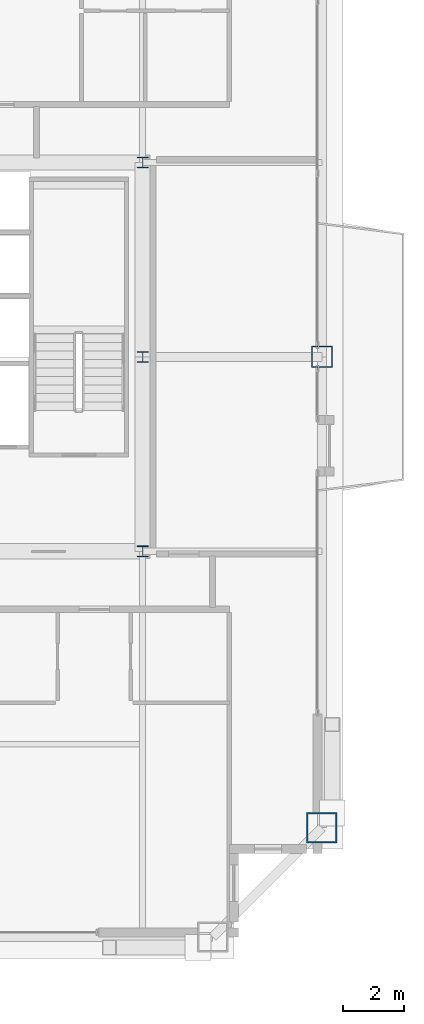
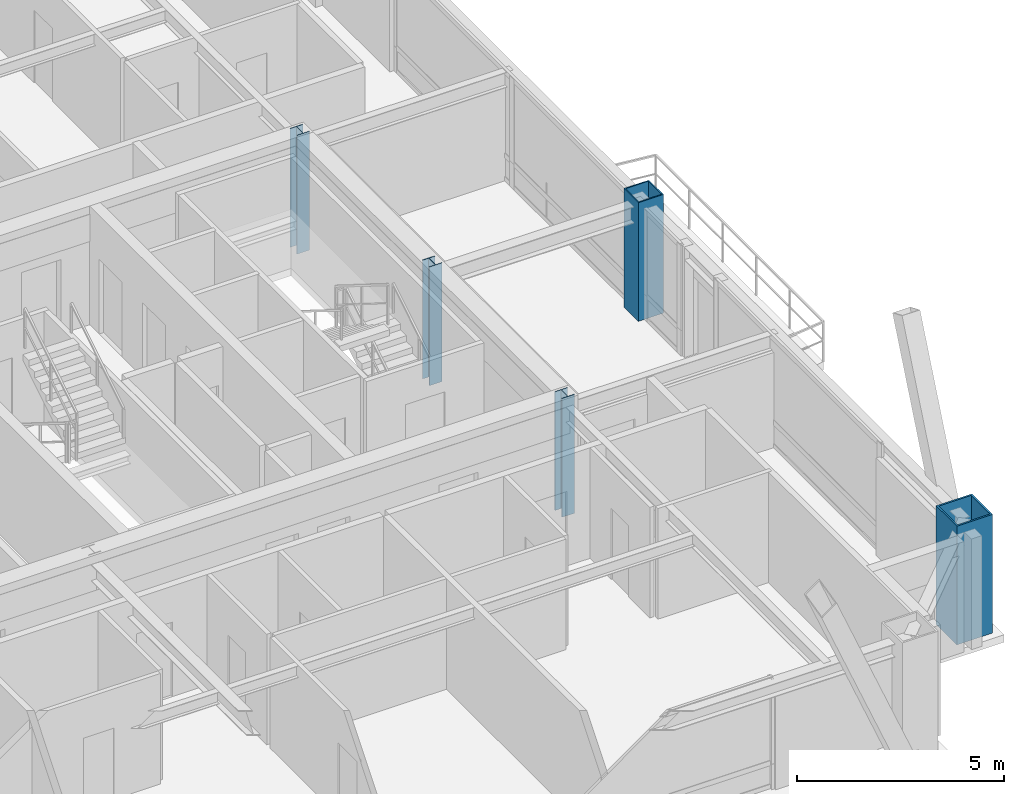
# One storey, part 2 of 35: 5 columns.
"""IFC4 building model written with IfcOpenShell, lengths in metres."""

from ifc_helpers import new_model, si_unit, direction, frame, origin, origin_2d, place, context, subcontext, project, spatial, hollow_rectangle, i_section, extrude, source, transform, mapped, material, material_profile, profile_set, type_object, element, save


model = new_model("IFC4")

# Units and contexts
model_context = context("Model", 3, precision=1e-05, world=origin(), true_north=direction((0.0, 1.0)))
body_context = subcontext(model_context, "Body", "Model", "MODEL_VIEW")
ifc_project = project(units=[si_unit("LENGTHUNIT", "METRE"), si_unit("AREAUNIT", "SQUARE_METRE"), si_unit("VOLUMEUNIT", "CUBIC_METRE"), si_unit("PLANEANGLEUNIT", "RADIAN"), si_unit("MASSUNIT", "GRAM", prefix="KILO"), si_unit("THERMODYNAMICTEMPERATUREUNIT", "KELVIN"), si_unit("POWERUNIT", "WATT")], contexts=[model_context])

# Site, building, storey
site_placement = place(None, origin())
site = spatial("IfcSite", under=ifc_project, at=site_placement, CompositionType="ELEMENT")
building_placement = place(site_placement, origin())
building = spatial("IfcBuilding", under=site, at=building_placement, Name="Yuzanri Waterfront Tower", CompositionType="ELEMENT")
storey_placement = place(building_placement, frame((0.0, 0.0, 335.699951171875)))
storey = spatial("IfcBuildingStorey", under=building, at=storey_placement, Name="L90", CompositionType="ELEMENT", Elevation=335.699951171875)

# Columns
ifc_material_1 = material(Name="Steel Q355B", Category="steel")
ifc_material_profile_1 = material_profile(ifc_material_1, hollow_rectangle(XDim=0.699951171875, YDim=0.699951171875, WallThickness=0.031982421875, at=origin_2d()), Name="RHS 700x700x32")
ifc_profile_set_1 = profile_set([ifc_material_profile_1], Name="Steel Q355B")
column_type_1 = type_object("IfcColumnType", Name="Frame Column Q355B RHS 700x700x32", PredefinedType="COLUMN", material=ifc_profile_set_1)
shared_shape_1 = source(origin(), body_context, "Body", "SweptSolid", [
    extrude(hollow_rectangle(XDim=0.699951171875, YDim=0.699951171875, WallThickness=0.031982421875, at=origin_2d()), origin(), (0.0, 0.0, 1.0), 3.5),
])
column_1_placement = place(storey_placement, frame((56.10009765625, 25.800048828125, 0.0), z_axis=(0.0, 0.0, 1.0), x_axis=(1.0, 0.0, 0.0)))
element("IfcColumn", 1, at=column_1_placement, inside=storey, type_object=column_type_1, Name="L90 Perimeter Frame Column E2", PredefinedType="COLUMN", context=body_context, shape_type="MappedRepresentation", body=[
    mapped(shared_shape_1, transform((0.0, 0.0, 0.0), scale=1.0)),
])
ifc_material_2 = material(Name="Steel Q355B", Category="steel")
ifc_material_profile_2 = material_profile(ifc_material_2, i_section(OverallWidth=0.35009765625, OverallDepth=0.35009765625, WebThickness=0.011962890625, FlangeThickness=0.01904296875, at=origin_2d()), Name="HW 350x350x12x19")
ifc_profile_set_2 = profile_set([ifc_material_profile_2], Name="Steel Q355B")
column_type_2 = type_object("IfcColumnType", Name="Core Post Q355B HW 350x350x12x19", PredefinedType="COLUMN", material=ifc_profile_set_2)
shared_shape_2 = source(origin(), body_context, "Body", "SweptSolid", [
    extrude(i_section(OverallWidth=0.35009765625, OverallDepth=0.35009765625, WebThickness=0.011962890625, FlangeThickness=0.01904296875, at=origin_2d()), origin(), (0.0, 0.0, 1.0), 3.5),
])
for number, where, z_axis, x_axis, name in (
    (2, (50.199951171875, 19.39990234375, 0.0), (0.0, 0.0, 1.0), (1.0, 0.0, 0.0), "L90 Core Boundary Column CP3"),
    (3, (50.199951171875, 25.800048828125, 0.0), (0.0, 0.0, 1.0), (1.0, 0.0, 0.0), "L90 Core Boundary Column CP5"),
    (4, (50.199951171875, 32.199951171875, 0.0), (0.0, 0.0, 1.0), (1.0, 0.0, 0.0), "L90 Core Boundary Column CP8"),
):
    element("IfcColumn", number, at=place(storey_placement, frame(where, z_axis=z_axis, x_axis=x_axis)), inside=storey, type_object=column_type_2, Name=name, PredefinedType="COLUMN", context=body_context, shape_type="MappedRepresentation", body=[
        mapped(shared_shape_2, transform((0.0, 0.0, 0.0), scale=1.0)),
    ])
ifc_material_3 = material(Name="Steel Q390GJC", Category="steel")
ifc_material_profile_3 = material_profile(ifc_material_3, hollow_rectangle(XDim=1.0, YDim=1.0, WallThickness=0.048095703125, at=origin_2d()), Name="RHS 1000x1000x48")
ifc_profile_set_3 = profile_set([ifc_material_profile_3], Name="Steel Q390GJC")
column_type_3 = type_object("IfcColumnType", Name="Mega Column Q390GJC RHS 1000x1000x48", PredefinedType="COLUMN", material=ifc_profile_set_3)
shared_shape_3 = source(origin(), body_context, "Body", "SweptSolid", [
    extrude(hollow_rectangle(XDim=1.0, YDim=1.0, WallThickness=0.048095703125, at=origin_2d()), origin(), (0.0, 0.0, 1.0), 3.5),
])
column_2_placement = place(storey_placement, frame((56.10009765625, 10.300048828125, 0.0), z_axis=(0.0, 0.0, 1.0), x_axis=(1.0, 0.0, 0.0)))
element("IfcColumn", 5, at=column_2_placement, inside=storey, type_object=column_type_3, Name="L90 Perimeter Mega Column E1", PredefinedType="COLUMN", context=body_context, shape_type="MappedRepresentation", body=[
    mapped(shared_shape_3, transform((0.0, 0.0, 0.0), scale=1.0)),
])

save(model, "model.ifc")
